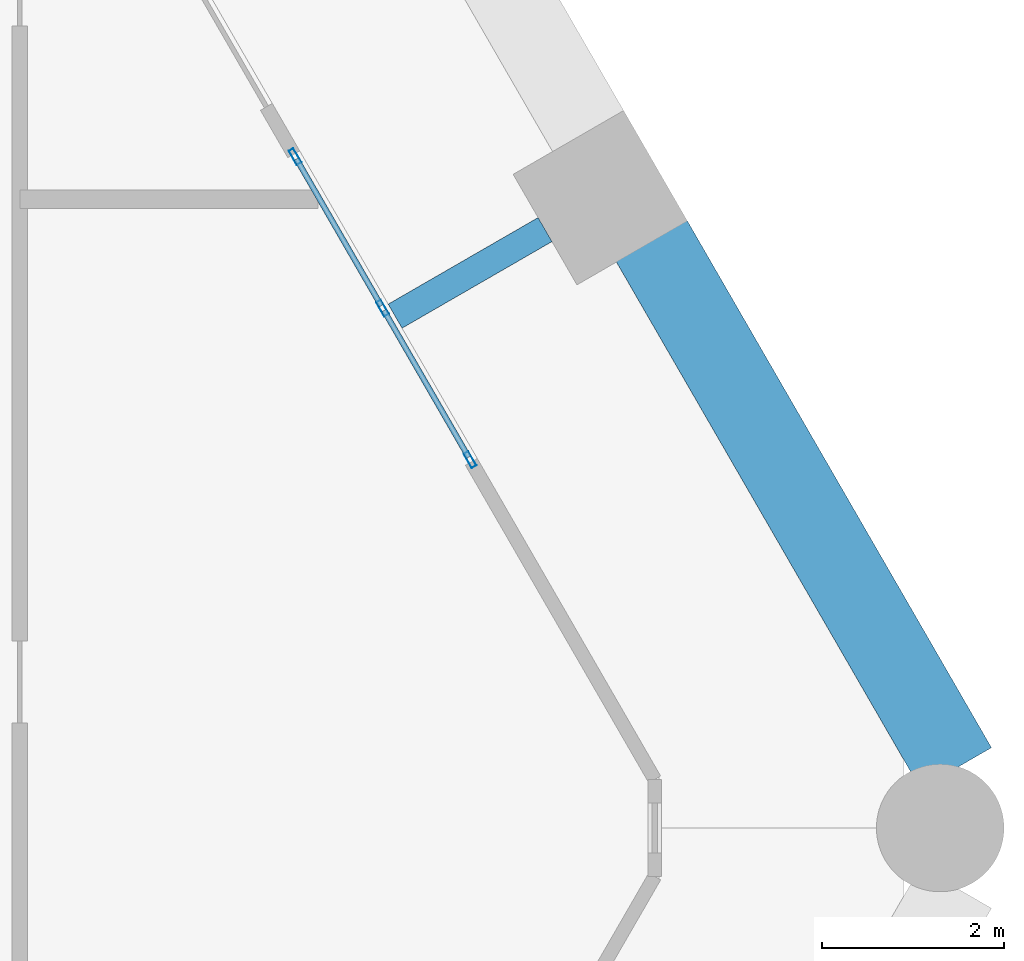
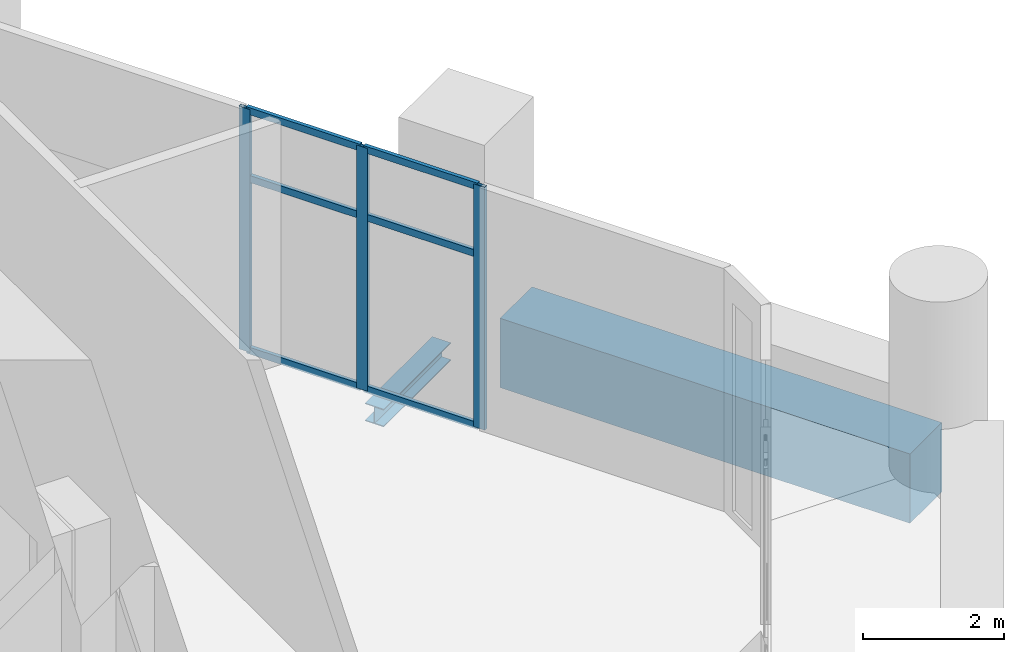
# One storey, part 8 of 18: 9 members, 2 beams, 1 element without a shape of its own.
"""IFC4 building model written with IfcOpenShell, lengths in metres."""

from ifc_helpers import new_model, si_unit, direction, frame, origin, origin_2d, place, context, subcontext, project, spatial, rectangle, hollow_rectangle, i_section, extrude, material, material_profile, profile_set, type_object, element, aggregate, save


model = new_model("IFC4")

# Units and contexts
model_context = context("Model", 3, precision=1e-05, world=origin(), true_north=direction((0.0, 1.0)))
body_context = subcontext(model_context, "Body", "Model", "MODEL_VIEW")
ifc_project = project(units=[si_unit("LENGTHUNIT", "METRE"), si_unit("AREAUNIT", "SQUARE_METRE"), si_unit("VOLUMEUNIT", "CUBIC_METRE"), si_unit("PLANEANGLEUNIT", "RADIAN"), si_unit("MASSUNIT", "GRAM", prefix="KILO")], contexts=[model_context])

# Site, building, storey
site_placement = place(None, origin())
site = spatial("IfcSite", under=ifc_project, at=site_placement, CompositionType="ELEMENT")
building_placement = place(site_placement, origin())
building = spatial("IfcBuilding", under=site, at=building_placement, Name="Ostrander Bayou Hotel Tower", CompositionType="ELEMENT")
storey_placement = place(building_placement, frame((0.0, 0.0, 19.0)))
storey = spatial("IfcBuildingStorey", under=building, at=storey_placement, Name="L04", CompositionType="ELEMENT", Elevation=19.0)

# Curtain wall, members
ifc_material_1 = material(Name="Aluminium and clear glass", Category="aluminium")
curtain_wall_type = type_object("IfcCurtainWallType", Name="CW-SKY amenity glass wall", PredefinedType="NOTDEFINED", material=ifc_material_1)
curtain_wall_placement = place(storey_placement, origin())
curtain_wall = element("IfcCurtainWall", 1, at=curtain_wall_placement, inside=storey, type_object=curtain_wall_type, Name="CW-SKY L04 NE 2", PredefinedType="NOTDEFINED")
ifc_material_2 = material(Name="Aluminium", Category="aluminium")
ifc_material_profile_1 = material_profile(ifc_material_2, hollow_rectangle(XDim=0.06005859375, YDim=0.179931640625, WallThickness=0.00390625, at=origin_2d()))
ifc_profile_set_1 = profile_set([ifc_material_profile_1], Name="Aluminium")
member_type_1 = type_object("IfcMemberType", Name="CW-SK mullion 60 x 180 mm", PredefinedType="MULLION", material=ifc_profile_set_1)
member_1_placement = place(storey_placement, frame((18.94140625, 4.042236328125, 0.0), z_axis=(0.0, 0.0, 1.0), x_axis=(-0.866025463091, -0.499999897278, 0.0)))
member_1 = element("IfcMember", 2, at=member_1_placement, type_object=member_type_1, Name="CW-SKY mullion 1", PredefinedType="MULLION", context=body_context, shape_type="SweptSolid", body=[
    extrude(hollow_rectangle(XDim=0.06005859375, YDim=0.179931640625, WallThickness=0.00390625, at=origin_2d()), origin(), (0.0, 0.0, 1.0), 4.199951171875),
])
member_2_placement = place(storey_placement, frame((17.9814453125, 5.705078125, 0.0), z_axis=(0.0, 0.0, 1.0), x_axis=(-0.866025463091, -0.499999897278, 0.0)))
member_2 = element("IfcMember", 3, at=member_2_placement, type_object=member_type_1, Name="CW-SKY mullion 2", PredefinedType="MULLION", context=body_context, shape_type="SweptSolid", body=[
    extrude(hollow_rectangle(XDim=0.06005859375, YDim=0.179931640625, WallThickness=0.00390625, at=origin_2d()), origin(), (0.0, 0.0, 1.0), 4.199951171875),
])
member_3_placement = place(storey_placement, frame((17.021484375, 7.367919921875, 0.0), z_axis=(0.0, 0.0, 1.0), x_axis=(-0.866025463091, -0.499999897278, 0.0)))
member_3 = element("IfcMember", 4, at=member_3_placement, type_object=member_type_1, Name="CW-SKY mullion 3", PredefinedType="MULLION", context=body_context, shape_type="SweptSolid", body=[
    extrude(hollow_rectangle(XDim=0.06005859375, YDim=0.179931640625, WallThickness=0.00390625, at=origin_2d()), origin(), (0.0, 0.0, 1.0), 4.199951171875),
])
ifc_material_3 = material(Name="Aluminium", Category="aluminium")
ifc_material_profile_2 = material_profile(ifc_material_3, hollow_rectangle(XDim=0.06005859375, YDim=0.1201171875, WallThickness=0.00390625, at=origin_2d()))
ifc_profile_set_2 = profile_set([ifc_material_profile_2], Name="Aluminium")
member_type_2 = type_object("IfcMemberType", Name="CW-SK transom 60 x 120 mm", PredefinedType="USERDEFINED", material=ifc_profile_set_2)
member_4_placement = place(storey_placement, frame((18.926513671875, 4.068359375, 0.030029296875), z_axis=(-0.500021687003, 0.866012882425, 0.0), x_axis=(-0.866012882425, -0.500021687003, 0.0)))
member_4 = element("IfcMember", 5, at=member_4_placement, type_object=member_type_2, Name="CW-SKY transom 1.1", ObjectType="TRANSOM", PredefinedType="USERDEFINED", context=body_context, shape_type="SweptSolid", body=[
    extrude(hollow_rectangle(XDim=0.06005859375, YDim=0.1201171875, WallThickness=0.00390625, at=origin_2d()), origin(), (0.0, 0.0, 1.0), 1.85986328125),
])
member_5_placement = place(storey_placement, frame((18.926513671875, 4.068359375, 3.0), z_axis=(-0.500021687003, 0.866012882425, 0.0), x_axis=(-0.866012882425, -0.500021687003, 0.0)))
member_5 = element("IfcMember", 6, at=member_5_placement, type_object=member_type_2, Name="CW-SKY transom 1.2", ObjectType="TRANSOM", PredefinedType="USERDEFINED", context=body_context, shape_type="SweptSolid", body=[
    extrude(hollow_rectangle(XDim=0.06005859375, YDim=0.1201171875, WallThickness=0.00390625, at=origin_2d()), origin(), (0.0, 0.0, 1.0), 1.85986328125),
])
member_6_placement = place(storey_placement, frame((18.926513671875, 4.068359375, 4.169921875), z_axis=(-0.500021687003, 0.866012882425, 0.0), x_axis=(-0.866012882425, -0.500021687003, 0.0)))
member_6 = element("IfcMember", 7, at=member_6_placement, type_object=member_type_2, Name="CW-SKY transom 1.3", ObjectType="TRANSOM", PredefinedType="USERDEFINED", context=body_context, shape_type="SweptSolid", body=[
    extrude(hollow_rectangle(XDim=0.06005859375, YDim=0.1201171875, WallThickness=0.00390625, at=origin_2d()), origin(), (0.0, 0.0, 1.0), 1.85986328125),
])
member_7_placement = place(storey_placement, frame((17.966552734375, 5.73095703125, 0.030029296875), z_axis=(-0.499964847546, 0.866045698112, 0.0), x_axis=(-0.866045698112, -0.499964847546, 0.0)))
member_7 = element("IfcMember", 8, at=member_7_placement, type_object=member_type_2, Name="CW-SKY transom 2.1", ObjectType="TRANSOM", PredefinedType="USERDEFINED", context=body_context, shape_type="SweptSolid", body=[
    extrude(hollow_rectangle(XDim=0.06005859375, YDim=0.1201171875, WallThickness=0.00390625, at=origin_2d()), origin(), (0.0, 0.0, 1.0), 1.860107421875),
])
member_8_placement = place(storey_placement, frame((17.966552734375, 5.73095703125, 3.0), z_axis=(-0.499964847546, 0.866045698112, 0.0), x_axis=(-0.866045698112, -0.499964847546, 0.0)))
member_8 = element("IfcMember", 9, at=member_8_placement, type_object=member_type_2, Name="CW-SKY transom 2.2", ObjectType="TRANSOM", PredefinedType="USERDEFINED", context=body_context, shape_type="SweptSolid", body=[
    extrude(hollow_rectangle(XDim=0.06005859375, YDim=0.1201171875, WallThickness=0.00390625, at=origin_2d()), origin(), (0.0, 0.0, 1.0), 1.860107421875),
])
member_9_placement = place(storey_placement, frame((17.966552734375, 5.73095703125, 4.169921875), z_axis=(-0.499964847546, 0.866045698112, 0.0), x_axis=(-0.866045698112, -0.499964847546, 0.0)))
member_9 = element("IfcMember", 10, at=member_9_placement, type_object=member_type_2, Name="CW-SKY transom 2.3", ObjectType="TRANSOM", PredefinedType="USERDEFINED", context=body_context, shape_type="SweptSolid", body=[
    extrude(hollow_rectangle(XDim=0.06005859375, YDim=0.1201171875, WallThickness=0.00390625, at=origin_2d()), origin(), (0.0, 0.0, 1.0), 1.860107421875),
])
aggregate(curtain_wall, [member_1, member_2, member_3, member_4, member_5, member_6, member_7, member_8, member_9])

# Beams
ifc_material_4 = material(Name="Steel ASTM A992", Category="steel")
ifc_material_profile_3 = material_profile(ifc_material_4, i_section(OverallWidth=0.3046875, OverallDepth=0.307861328125, WebThickness=0.010009765625, FlangeThickness=0.015380859375, at=origin_2d()))
ifc_profile_set_3 = profile_set([ifc_material_profile_3], Name="Steel ASTM A992")
beam_type_1 = type_object("IfcBeamType", Name="LB1 loggia bracket W12x65", PredefinedType="BEAM", material=ifc_profile_set_3)
beam_1_placement = place(storey_placement, frame((19.7646484375, 6.566650390625, -0.453857421875), z_axis=(-0.866044365799, -0.499967155389, 0.0), x_axis=(0.499967155389, -0.866044365799, 0.0)))
element("IfcBeam", 11, at=beam_1_placement, inside=storey, type_object=beam_type_1, Name="LB1 L04 NE1", PredefinedType="BEAM", context=body_context, shape_type="SweptSolid", body=[
    extrude(i_section(OverallWidth=0.3046875, OverallDepth=0.307861328125, WebThickness=0.010009765625, FlangeThickness=0.015380859375, at=origin_2d()), origin(), (0.0, 0.0, 1.0), 1.900146484375),
])
ifc_material_5 = material(Name="Concrete f'c 70 MPa", Category="concrete")
ifc_material_profile_4 = material_profile(ifc_material_5, rectangle(XDim=0.89990234375, YDim=1.199951171875, at=origin_2d()))
ifc_profile_set_4 = profile_set([ifc_material_profile_4], Name="Concrete f'c 70 MPa")
beam_type_2 = type_object("IfcBeamType", Name="SP1 spandrel beam 900 x 1200 mm f'c 70 MPa", PredefinedType="SPANDREL", material=ifc_profile_set_4)
beam_2_placement = place(storey_placement, frame((24.274169921875, 0.656005859375, -0.60009765625), z_axis=(-0.500005133765, 0.866022439784, 0.0), x_axis=(-0.866022439784, -0.500005133765, 0.0)))
element("IfcBeam", 12, at=beam_2_placement, inside=storey, type_object=beam_type_2, Name="SP1 L04 NE-1", PredefinedType="SPANDREL", context=body_context, shape_type="SweptSolid", body=[
    extrude(rectangle(XDim=0.89990234375, YDim=1.199951171875, at=origin_2d()), origin(), (0.0, 0.0, 1.0), 6.70361328125),
])

save(model, "model.ifc")
